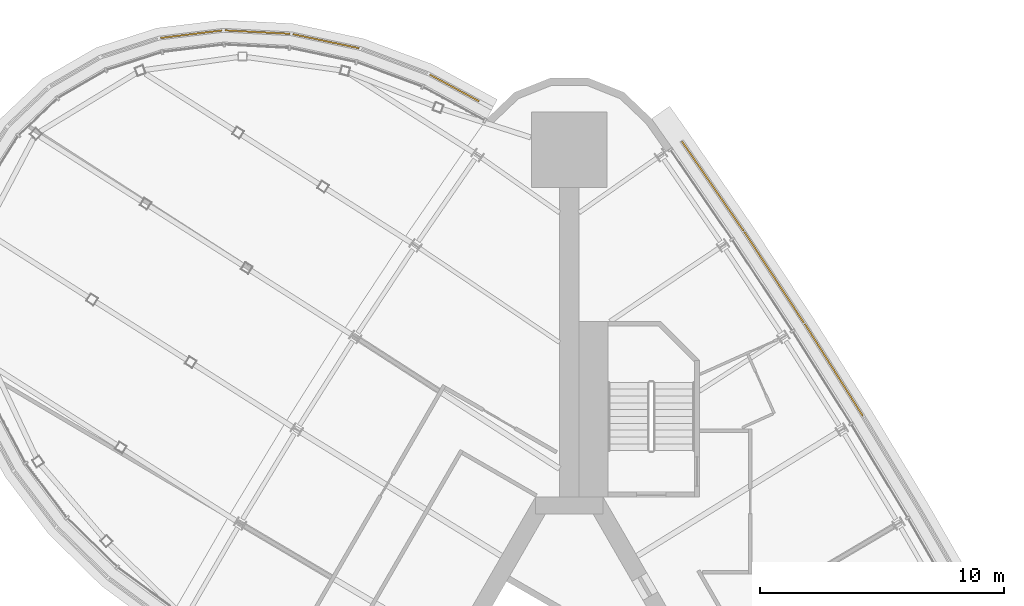
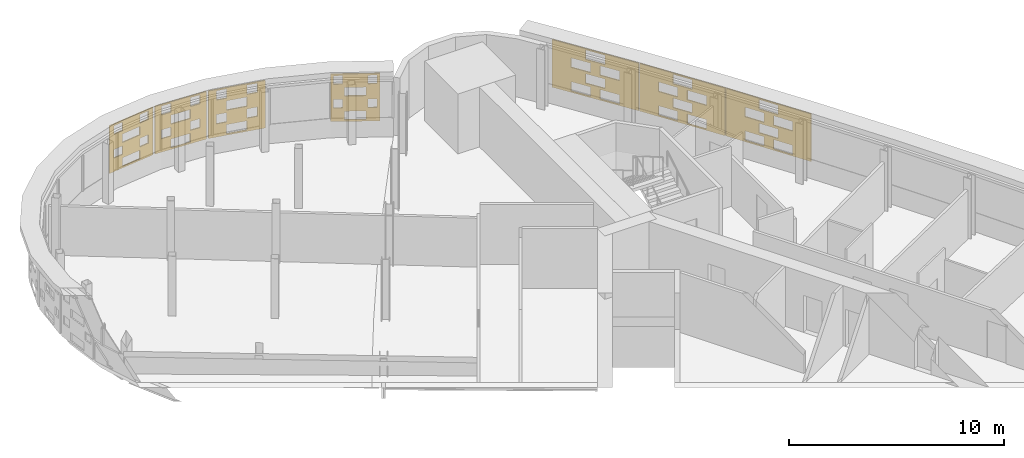
# One storey, part 17 of 17: 7 shading devices.
"""IFC4 building model written with IfcOpenShell, lengths in metres."""

import ifcopenshell
import ifcopenshell.guid

model = None  # the IFC model being written
_history = None  # IfcOwnerHistory: only IFC2X3 demands one
_inside = {}  # id of a spatial element -> (the spatial element, [elements in it])
_under = {}  # id of a project, library or spatial element -> (it, [spatial elements below it])
_declared = {}  # id of a project -> (the project, [libraries it declares])
_typed = {}  # id of a type object -> (the type object, [elements of that type])
_made_of = {}  # id of a material, layer set ... -> (it, [elements and type objects made of it])


def new_model(schema):
    """Start an empty IFC model of exactly this schema.

    Asked for "IFC4X3", IfcOpenShell would pick the latest addendum, in which some entities
    have other attributes; the version numbers below select the first issue.
    IFC2X3 requires an IfcOwnerHistory on every rooted entity: one is made here for all.
    """
    global model, _history
    if schema == "IFC4X3":
        model = ifcopenshell.file(schema_version=(4, 3, 0, 0))
    else:
        model = ifcopenshell.file(schema=schema)
    _inside.clear()
    _under.clear()
    _declared.clear()
    _typed.clear()
    _made_of.clear()
    _history = None
    if model.schema == "IFC2X3":
        org = make("IfcOrganization", Name="unknown")
        user = make(
            "IfcPersonAndOrganization",
            ThePerson=make("IfcPerson", FamilyName="unknown"),
            TheOrganization=org,
        )
        app = make(
            "IfcApplication",
            ApplicationDeveloper=org,
            Version="unknown",
            ApplicationFullName="unknown",
            ApplicationIdentifier="unknown",
        )
        _history = make(
            "IfcOwnerHistory",
            OwningUser=user,
            OwningApplication=app,
            ChangeAction="ADDED",
            CreationDate=0,
        )
    return model


def make(cls, **values):
    """One entity of the class cls with the attributes given. An attribute that is None is left unset."""
    return model.create_entity(
        cls, **{name: value for name, value in values.items() if value is not None}
    )


def rooted(cls, **values):
    """An entity with a GlobalId (a new one), such as an element, a storey or a relation."""
    return make(cls, GlobalId=ifcopenshell.guid.new(), OwnerHistory=_history, **values)


def si_unit(unit_type, name, prefix=None):
    """IfcSIUnit, for example si_unit("LENGTHUNIT", "METRE", prefix="MILLI")."""
    return make("IfcSIUnit", UnitType=unit_type, Prefix=prefix, Name=name)


def assignment(units):
    """IfcUnitAssignment: the units of a project."""
    return None if units is None else make("IfcUnitAssignment", Units=units)


def point(xyz):
    """IfcCartesianPoint."""
    return None if xyz is None else make("IfcCartesianPoint", Coordinates=xyz)


def direction(xyz):
    """IfcDirection."""
    return None if xyz is None else make("IfcDirection", DirectionRatios=xyz)


def frame(location, z_axis=None, x_axis=None):
    """IfcAxis2Placement3D, a coordinate frame: its origin and axes. An axis left out is left unset."""
    return make(
        "IfcAxis2Placement3D",
        Location=point(location),
        Axis=direction(z_axis),
        RefDirection=direction(x_axis),
    )


def origin():
    """The frame at (0, 0, 0) with its axes left unset."""
    return frame((0.0, 0.0, 0.0))


def place(relative_to, where):
    """IfcLocalPlacement: puts the frame where relative to a parent placement (None: the world)."""
    return make(
        "IfcLocalPlacement", PlacementRelTo=relative_to, RelativePlacement=where
    )


def context(
    kind, dimensions, precision=None, world=None, true_north=None, identifier=None
):
    """IfcGeometricRepresentationContext, for example the 3D "Model" context."""
    return make(
        "IfcGeometricRepresentationContext",
        ContextIdentifier=identifier,
        ContextType=kind,
        CoordinateSpaceDimension=dimensions,
        Precision=precision,
        WorldCoordinateSystem=world,
        TrueNorth=true_north,
    )


def subcontext(parent, identifier, kind, view, scale=None):
    """IfcGeometricRepresentationSubContext, for example "Body" below "Model"."""
    return make(
        "IfcGeometricRepresentationSubContext",
        ContextIdentifier=identifier,
        ContextType=kind,
        ParentContext=parent,
        TargetScale=scale,
        TargetView=view,
    )


def project(units=None, contexts=None):
    """IfcProject with its units and contexts."""
    return rooted(
        "IfcProject",
        Name="project",
        RepresentationContexts=contexts,
        UnitsInContext=assignment(units),
    )


def spatial(cls, under=None, at=None, **own):
    """A site, building, storey or space (cls), placed at a placement, below another one or the project."""
    s = rooted(cls, ObjectPlacement=at, **own)
    if under is not None:
        _under.setdefault(under.id(), (under, []))[1].append(s)
    return s


def polyline(points):
    """IfcPolyline through the points."""
    return make("IfcPolyline", Points=[point(p) for p in points])


def outline(outer, holes=None, kind="AREA"):
    """IfcArbitraryClosedProfileDef: a profile drawn as a closed curve; with holes, ...WithVoids."""
    if holes is None:
        return make("IfcArbitraryClosedProfileDef", ProfileType=kind, OuterCurve=outer)
    return make(
        "IfcArbitraryProfileDefWithVoids",
        ProfileType=kind,
        OuterCurve=outer,
        InnerCurves=holes,
    )


def extrude(swept, where, along, depth):
    """IfcExtrudedAreaSolid: the profile swept, set in the frame where, extruded along a direction by depth."""
    return make(
        "IfcExtrudedAreaSolid",
        SweptArea=swept,
        Position=where,
        ExtrudedDirection=direction(along),
        Depth=depth,
    )


def shape(context_of_items, identifier, shape_type, items):
    """IfcShapeRepresentation: the items that make up one representation, for example the "Body"."""
    return make(
        "IfcShapeRepresentation",
        ContextOfItems=context_of_items,
        RepresentationIdentifier=identifier,
        RepresentationType=shape_type,
        Items=items,
    )


def material(Name=None, Category=None):
    """IfcMaterial."""
    return make("IfcMaterial", Name=Name, Category=Category)


def layer(
    of_material, thickness, ventilated=None, Name=None, Category=None, Priority=None
):
    """IfcMaterialLayer: one layer of a wall or slab, of a material (None: an air gap)."""
    return make(
        "IfcMaterialLayer",
        Material=of_material,
        LayerThickness=thickness,
        IsVentilated=ventilated,
        Name=Name,
        Category=Category,
        Priority=Priority,
    )


def layer_set(layers, Name=None):
    """IfcMaterialLayerSet."""
    return make("IfcMaterialLayerSet", MaterialLayers=layers, LayerSetName=Name)


def material_profile(
    of_material, cross_section, Name=None, Category=None, Priority=None
):
    """IfcMaterialProfile: a cross section and its material."""
    return make(
        "IfcMaterialProfile",
        Name=Name,
        Material=of_material,
        Profile=cross_section,
        Priority=Priority,
        Category=Category,
    )


def profile_set(profiles, Name=None, composite=None):
    """IfcMaterialProfileSet."""
    return make(
        "IfcMaterialProfileSet",
        Name=Name,
        MaterialProfiles=profiles,
        CompositeProfile=composite,
    )


def made_of(thing, what):
    """Note that an element or type object is made of a material, layer set ...; save() writes the relation."""
    if what is not None:
        _made_of.setdefault(what.id(), (what, []))[1].append(thing)
    return thing


def type_object(cls, material=None, **own):
    """A type object (cls), such as IfcWallType, which elements share."""
    return made_of(rooted(cls, **own), material)


def element(
    cls,
    number,
    at=None,
    inside=None,
    cuts=None,
    type_object=None,
    material=None,
    context=None,
    identifier="Body",
    shape_type=None,
    held_by="IfcProductDefinitionShape",
    body=None,
    shapes=None,
    **own,
):
    """One element of the class cls, such as IfcWall. Its Tag is "e" and its number.

    at: its placement. inside: the storey or other place that contains it. cuts: it is an
    opening in that element (IfcRelVoidsElement). A single representation is given by context,
    identifier, shape_type and body (its items); several are given by shapes. held_by: the class
    of the entity that holds the representations. save() writes the other relations.
    """
    e = rooted(cls, Tag="e%d" % number, ObjectPlacement=at, **own)
    if body is not None:
        shapes = [shape(context, identifier, shape_type, body)]
    if shapes is not None:
        e.Representation = make(held_by, Representations=shapes)
    if inside is not None:
        _inside.setdefault(inside.id(), (inside, []))[1].append(e)
    if cuts is not None:
        rooted(
            "IfcRelVoidsElement", RelatingBuildingElement=cuts, RelatedOpeningElement=e
        )
    if type_object is not None:
        _typed.setdefault(type_object.id(), (type_object, []))[1].append(e)
    return made_of(e, material)


def aggregate(whole, parts):
    """IfcRelAggregates: a whole, such as a stair, and the parts it consists of."""
    return rooted("IfcRelAggregates", RelatingObject=whole, RelatedObjects=parts)


def save(model, path):
    """Write the relations noted so far, then the file.

    IfcRelAggregates (storeys below a building ...), IfcRelContainedInSpatialStructure (elements
    in a storey), IfcRelDefinesByType, IfcRelAssociatesMaterial and IfcRelDeclares: one each for
    every whole, place, type object, material and project.
    """
    for whole, parts in _under.values():
        aggregate(whole, parts)
    for where, things in _inside.values():
        rooted(
            "IfcRelContainedInSpatialStructure",
            RelatedElements=things,
            RelatingStructure=where,
        )
    for kind, things in _typed.values():
        rooted("IfcRelDefinesByType", RelatedObjects=things, RelatingType=kind)
    for what, things in _made_of.values():
        rooted("IfcRelAssociatesMaterial", RelatedObjects=things, RelatingMaterial=what)
    for by, libraries in _declared.values():
        rooted("IfcRelDeclares", RelatingContext=by, RelatedDefinitions=libraries)
    model.write(path)


model = new_model("IFC4")

# Units and contexts
model_context = context("Model", 3, precision=1e-05, world=origin(), true_north=direction((0.0, 1.0)))
body_context = subcontext(model_context, "Body", "Model", "MODEL_VIEW")
ifc_project = project(units=[si_unit("LENGTHUNIT", "METRE"), si_unit("AREAUNIT", "SQUARE_METRE"), si_unit("VOLUMEUNIT", "CUBIC_METRE"), si_unit("PLANEANGLEUNIT", "RADIAN"), si_unit("MASSUNIT", "GRAM", prefix="KILO")], contexts=[model_context])

# Site, building, storey
site_placement = place(None, origin())
site = spatial("IfcSite", under=ifc_project, at=site_placement, CompositionType="ELEMENT")
building_placement = place(site_placement, origin())
building = spatial("IfcBuilding", under=site, at=building_placement, Name="Noor Cloister Tower", CompositionType="ELEMENT")
storey_placement = place(building_placement, frame((0.0, 0.0, 98.699951171875)))
storey = spatial("IfcBuildingStorey", under=building, at=storey_placement, Name="L25", CompositionType="ELEMENT", Elevation=98.699951171875)

# Shading devices
ifc_material_1 = material(Name="Limestone", Category="masonry")
ifc_material_profile = material_profile(ifc_material_1, outline(polyline([(-2.22998046875, -1.35009765625), (2.22998046875, -1.35009765625), (2.22998046875, 1.35009765625), (-2.22998046875, 1.35009765625), (-2.22998046875, -1.35009765625)]), holes=[polyline([(-1.25, -1.282470703125), (-0.25, -1.282470703125), (-0.25, -0.742431640625), (-1.25, -0.742431640625), (-1.25, -1.282470703125)]), polyline([(0.25, -1.282470703125), (1.25, -1.282470703125), (1.25, -0.742431640625), (0.25, -0.742431640625), (0.25, -1.282470703125)]), polyline([(-0.5, -0.607421875), (0.5, -0.607421875), (0.5, -0.0673828125), (-0.5, -0.0673828125), (-0.5, -0.607421875)]), polyline([(-1.25, 0.0673828125), (-0.25, 0.0673828125), (-0.25, 0.607421875), (-1.25, 0.607421875), (-1.25, 0.0673828125)]), polyline([(0.25, 0.0673828125), (1.25, 0.0673828125), (1.25, 0.607421875), (0.25, 0.607421875), (0.25, 0.0673828125)]), polyline([(-0.5, 0.742431640625), (0.5, 0.742431640625), (0.5, 1.282470703125), (-0.5, 1.282470703125), (-0.5, 0.742431640625)])]), Name="Woven screen 28 percent open")
ifc_profile_set = profile_set([ifc_material_profile], Name="Limestone")
shading_device_type_1 = type_object("IfcShadingDeviceType", Name="SCREEN woven limestone 28 percent open", PredefinedType="USERDEFINED", material=ifc_profile_set)
for number, where, z_axis, x_axis, name in (
    (1, (10.8115234375, 16.651611328125, 1.85009765625), (0.846164898331, 0.53292116193, 0.0), (-0.53292116193, 0.846164898331, 0.0), "SCREEN L25 7"),
    (2, (8.367919921875, 20.440673828125, 1.85009765625), (0.836396944636, 0.548124211291, 0.0), (-0.548124211291, 0.836396944636, 0.0), "SCREEN L25 8"),
):
    element("IfcShadingDevice", number, at=place(storey_placement, frame(where, z_axis=z_axis, x_axis=x_axis)), inside=storey, type_object=shading_device_type_1, Name=name, ObjectType="SCREEN", PredefinedType="USERDEFINED", context=body_context, shape_type="SweptSolid", body=[
        extrude(outline(polyline([(-2.22998046875, -1.35009765625), (2.22998046875, -1.35009765625), (2.22998046875, 1.35009765625), (-2.22998046875, 1.35009765625), (-2.22998046875, -1.35009765625)]), holes=[polyline([(-1.25, -1.282470703125), (-0.25, -1.282470703125), (-0.25, -0.742431640625), (-1.25, -0.742431640625), (-1.25, -1.282470703125)]), polyline([(0.25, -1.282470703125), (1.25, -1.282470703125), (1.25, -0.742431640625), (0.25, -0.742431640625), (0.25, -1.282470703125)]), polyline([(-0.5, -0.607421875), (0.5, -0.607421875), (0.5, -0.0673828125), (-0.5, -0.0673828125), (-0.5, -0.607421875)]), polyline([(-1.25, 0.0673828125), (-0.25, 0.0673828125), (-0.25, 0.607421875), (-1.25, 0.607421875), (-1.25, 0.0673828125)]), polyline([(0.25, 0.0673828125), (1.25, 0.0673828125), (1.25, 0.607421875), (0.25, 0.607421875), (0.25, 0.0673828125)]), polyline([(-0.5, 0.742431640625), (0.5, 0.742431640625), (0.5, 1.282470703125), (-0.5, 1.282470703125), (-0.5, 0.742431640625)])]), origin(), (0.0, 0.0, 1.0), 0.06005859375),
    ])
shading_device_1_placement = place(storey_placement, frame((5.850341796875, 24.1806640625, 1.85009765625), z_axis=(0.823803864189, 0.566874936249, 0.0), x_axis=(-0.566874936249, 0.823803864189, 0.0)))
element("IfcShadingDevice", 3, at=shading_device_1_placement, inside=storey, type_object=shading_device_type_1, Name="SCREEN L25 9", ObjectType="SCREEN", PredefinedType="USERDEFINED", context=body_context, shape_type="SweptSolid", body=[
    extrude(outline(polyline([(-2.22998046875, -1.35009765625), (2.22998046875, -1.35009765625), (2.22998046875, 1.35009765625), (-2.22998046875, 1.35009765625), (-2.22998046875, -1.35009765625)]), holes=[polyline([(-1.25, -1.282470703125), (-0.25, -1.282470703125), (-0.25, -0.742431640625), (-1.25, -0.742431640625), (-1.25, -1.282470703125)]), polyline([(0.25, -1.282470703125), (1.25, -1.282470703125), (1.25, -0.742431640625), (0.25, -0.742431640625), (0.25, -1.282470703125)]), polyline([(-0.5, -0.607421875), (0.5, -0.607421875), (0.5, -0.0673828125), (-0.5, -0.0673828125), (-0.5, -0.607421875)]), polyline([(-1.25, 0.0673828125), (-0.25, 0.0673828125), (-0.25, 0.607421875), (-1.25, 0.607421875), (-1.25, 0.0673828125)]), polyline([(0.25, 0.0673828125), (1.25, 0.0673828125), (1.25, 0.607421875), (0.25, 0.607421875), (0.25, 0.0673828125)]), polyline([(-0.5, 0.742431640625), (0.5, 0.742431640625), (0.5, 1.282470703125), (-0.5, 1.282470703125), (-0.5, 0.742431640625)])]), origin(), (0.0, 0.0, 1.0), 0.059814453125),
])
ifc_material_2 = material(Name="Limestone", Category="masonry")
ifc_layer = layer(ifc_material_2, 0.06005859375)
ifc_layer_set = layer_set([ifc_layer], Name="SCREEN woven limestone pod 28 percent open")
shading_device_type_2 = type_object("IfcShadingDeviceType", Name="SCREEN woven limestone pod 28 percent open", PredefinedType="USERDEFINED", material=ifc_layer_set)
shading_device_2_placement = place(storey_placement, frame((-4.719970703125, 28.19384765625, 1.85009765625), z_axis=(0.476283148541, 0.879291966537, 0.0), x_axis=(-0.879291966537, 0.476283148541, 0.0)))
element("IfcShadingDevice", 4, at=shading_device_2_placement, inside=storey, type_object=shading_device_type_2, Name="SCREEN L25 1", ObjectType="SCREEN", PredefinedType="USERDEFINED", context=body_context, shape_type="SweptSolid", body=[
    extrude(outline(polyline([(-1.153564453125, -1.35009765625), (1.153564453125, -1.35009765625), (1.153564453125, 1.35009765625), (-1.153564453125, 1.35009765625), (-1.153564453125, -1.35009765625)]), holes=[polyline([(-0.5, -1.25390625), (0.5, -1.25390625), (0.5, -0.771240234375), (-0.5, -0.771240234375), (-0.5, -1.25390625)]), polyline([(0.60009765625, -0.578857421875), (1.00341796875, -0.578857421875), (1.00341796875, -0.09619140625), (0.60009765625, -0.09619140625), (0.60009765625, -0.578857421875)]), polyline([(-1.00341796875, -0.578857421875), (-0.60009765625, -0.578857421875), (-0.60009765625, -0.09619140625), (-1.00341796875, -0.09619140625), (-1.00341796875, -0.578857421875)]), polyline([(-0.5, 0.09619140625), (0.5, 0.09619140625), (0.5, 0.578857421875), (-0.5, 0.578857421875), (-0.5, 0.09619140625)]), polyline([(0.60009765625, 0.771240234375), (1.00341796875, 0.771240234375), (1.00341796875, 1.25390625), (0.60009765625, 1.25390625), (0.60009765625, 0.771240234375)]), polyline([(-1.00341796875, 0.771240234375), (-0.60009765625, 0.771240234375), (-0.60009765625, 1.25390625), (-1.00341796875, 1.25390625), (-1.00341796875, 0.771240234375)])]), origin(), (0.0, 0.0, 1.0), 0.06005859375),
])
shading_device_3_placement = place(storey_placement, frame((-9.97265625, 30.1044921875, 1.85009765625), z_axis=(0.207033313552, 0.978333893453, 0.0), x_axis=(-0.978333893453, 0.207033313552, 0.0)))
element("IfcShadingDevice", 5, at=shading_device_3_placement, inside=storey, type_object=shading_device_type_2, Name="SCREEN L25 3", ObjectType="SCREEN", PredefinedType="USERDEFINED", context=body_context, shape_type="SweptSolid", body=[
    extrude(outline(polyline([(-1.39013671875, -1.35009765625), (1.39013671875, -1.35009765625), (1.39013671875, 1.35009765625), (-1.39013671875, 1.35009765625), (-1.39013671875, -1.35009765625)]), holes=[polyline([(-0.5, -1.275146484375), (0.5, -1.275146484375), (0.5, -0.749755859375), (-0.5, -0.749755859375), (-0.5, -1.275146484375)]), polyline([(-1.0, -0.600341796875), (-0.5, -0.600341796875), (-0.5, -0.07470703125), (-1.0, -0.07470703125), (-1.0, -0.600341796875)]), polyline([(0.5, -0.600341796875), (1.0, -0.600341796875), (1.0, -0.07470703125), (0.5, -0.07470703125), (0.5, -0.600341796875)]), polyline([(-0.5, 0.07470703125), (0.5, 0.07470703125), (0.5, 0.600341796875), (-0.5, 0.600341796875), (-0.5, 0.07470703125)]), polyline([(-1.0, 0.749755859375), (-0.5, 0.749755859375), (-0.5, 1.275146484375), (-1.0, 1.275146484375), (-1.0, 0.749755859375)]), polyline([(0.5, 0.749755859375), (1.0, 0.749755859375), (1.0, 1.275146484375), (0.5, 1.275146484375), (0.5, 0.749755859375)])]), origin(), (0.0, 0.0, 1.0), 0.06005859375),
])
shading_device_4_placement = place(storey_placement, frame((-12.773193359375, 30.477783203125, 1.85009765625), z_axis=(0.052771893118, 0.998606592857, 0.0), x_axis=(-0.998606592857, 0.052771893118, 0.0)))
element("IfcShadingDevice", 6, at=shading_device_4_placement, inside=storey, type_object=shading_device_type_2, Name="SCREEN L25 4", ObjectType="SCREEN", PredefinedType="USERDEFINED", context=body_context, shape_type="SweptSolid", body=[
    extrude(outline(polyline([(-1.3330078125, -1.35009765625), (1.3330078125, -1.35009765625), (1.3330078125, 1.35009765625), (-1.3330078125, 1.35009765625), (-1.3330078125, -1.35009765625)]), holes=[polyline([(-0.5, -1.264404296875), (0.5, -1.264404296875), (0.5, -0.760498046875), (-0.5, -0.760498046875), (-0.5, -1.264404296875)]), polyline([(-1.0, -0.58935546875), (-0.5, -0.58935546875), (-0.5, -0.085693359375), (-1.0, -0.085693359375), (-1.0, -0.58935546875)]), polyline([(0.5, -0.58935546875), (1.0, -0.58935546875), (1.0, -0.085693359375), (0.5, -0.085693359375), (0.5, -0.58935546875)]), polyline([(-0.5, 0.085693359375), (0.5, 0.085693359375), (0.5, 0.58935546875), (-0.5, 0.58935546875), (-0.5, 0.085693359375)]), polyline([(-1.0, 0.760498046875), (-0.5, 0.760498046875), (-0.5, 1.264404296875), (-1.0, 1.264404296875), (-1.0, 0.760498046875)]), polyline([(0.5, 0.760498046875), (1.0, 0.760498046875), (1.0, 1.264404296875), (0.5, 1.264404296875), (0.5, 0.760498046875)])]), origin(), (0.0, 0.0, 1.0), 0.06005859375),
])
shading_device_5_placement = place(storey_placement, frame((-15.478759765625, 30.390625, 1.85009765625), z_axis=(-0.122031907108, 0.992526177815, 0.0), x_axis=(-0.992526177815, -0.122031907108, 0.0)))
element("IfcShadingDevice", 7, at=shading_device_5_placement, inside=storey, type_object=shading_device_type_2, Name="SCREEN L25 5", ObjectType="SCREEN", PredefinedType="USERDEFINED", context=body_context, shape_type="SweptSolid", body=[
    extrude(outline(polyline([(-1.266357421875, -1.35009765625), (1.266357421875, -1.35009765625), (1.266357421875, 1.35009765625), (-1.266357421875, 1.35009765625), (-1.266357421875, -1.35009765625)]), holes=[polyline([(-0.5, -1.251708984375), (0.5, -1.251708984375), (0.5, -0.773193359375), (-0.5, -0.773193359375), (-0.5, -1.251708984375)]), polyline([(-1.0, -0.576904296875), (-0.5, -0.576904296875), (-0.5, -0.09814453125), (-1.0, -0.09814453125), (-1.0, -0.576904296875)]), polyline([(0.5, -0.576904296875), (1.0, -0.576904296875), (1.0, -0.09814453125), (0.5, -0.09814453125), (0.5, -0.576904296875)]), polyline([(-0.5, 0.09814453125), (0.5, 0.09814453125), (0.5, 0.576904296875), (-0.5, 0.576904296875), (-0.5, 0.09814453125)]), polyline([(-1.0, 0.773193359375), (-0.5, 0.773193359375), (-0.5, 1.251708984375), (-1.0, 1.251708984375), (-1.0, 0.773193359375)]), polyline([(0.5, 0.773193359375), (1.0, 0.773193359375), (1.0, 1.251708984375), (0.5, 1.251708984375), (0.5, 0.773193359375)])]), origin(), (0.0, 0.0, 1.0), 0.06005859375),
])

save(model, "model.ifc")
